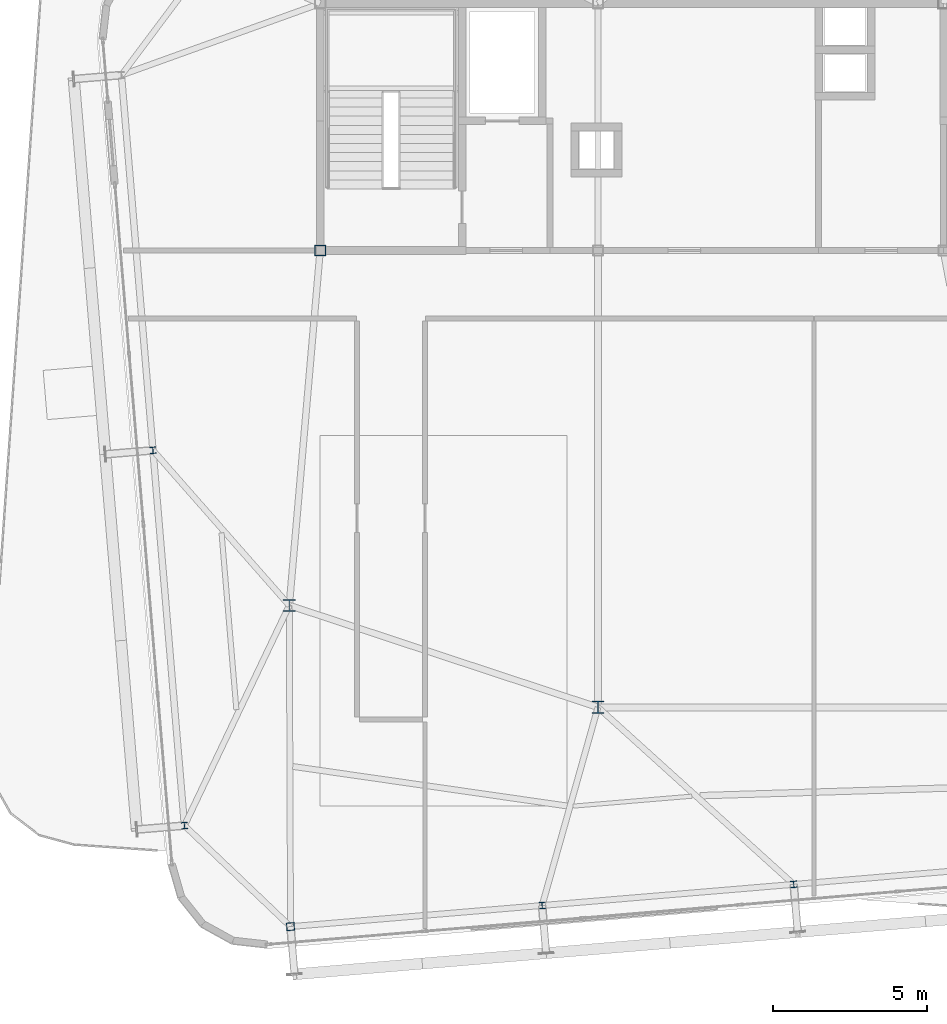
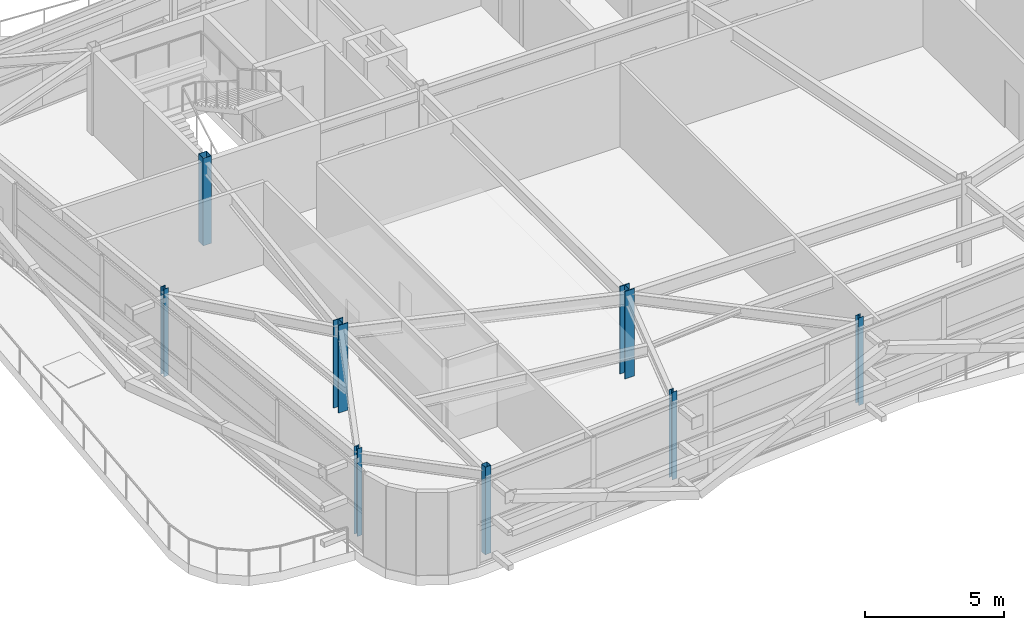
# One storey, part 1 of 38: 8 columns.
"""IFC4 building model written with IfcOpenShell, lengths in metres."""

from ifc_helpers import new_model, si_unit, direction, frame, origin, origin_2d, place, context, subcontext, project, spatial, hollow_rectangle, i_section, extrude, source, transform, mapped, material, material_profile, profile_set, type_object, element, save


model = new_model("IFC4")

# Units and contexts
model_context = context("Model", 3, precision=1e-05, world=origin(), true_north=direction((0.0, 1.0)))
body_context = subcontext(model_context, "Body", "Model", "MODEL_VIEW")
ifc_project = project(units=[si_unit("LENGTHUNIT", "METRE"), si_unit("AREAUNIT", "SQUARE_METRE"), si_unit("VOLUMEUNIT", "CUBIC_METRE"), si_unit("PLANEANGLEUNIT", "RADIAN"), si_unit("MASSUNIT", "GRAM", prefix="KILO")], contexts=[model_context])

# Site, building, storey
site_placement = place(None, origin())
site = spatial("IfcSite", under=ifc_project, at=site_placement, CompositionType="ELEMENT")
building_placement = place(site_placement, origin())
building = spatial("IfcBuilding", under=site, at=building_placement, Name="Taldren Reach Tower", CompositionType="ELEMENT")
storey_placement = place(building_placement, frame((0.0, 0.0, 168.699951171875)))
storey = spatial("IfcBuildingStorey", under=building, at=storey_placement, Name="L51", CompositionType="ELEMENT", Elevation=168.699951171875)

# Columns
ifc_material_1 = material(Name="Steel Gr 450 (C450L0)", Category="steel")
ifc_material_profile_1 = material_profile(ifc_material_1, hollow_rectangle(XDim=0.35009765625, YDim=0.35009765625, WallThickness=0.01611328125, at=origin_2d()), Name="350x350x16.0SHS")
ifc_profile_set_1 = profile_set([ifc_material_profile_1], Name="Steel Gr 450 (C450L0)")
column_type_1 = type_object("IfcColumnType", Name="COL-SHS350", PredefinedType="COLUMN", material=ifc_profile_set_1)
shared_shape_1 = source(origin(), body_context, "Body", "SweptSolid", [
    extrude(hollow_rectangle(XDim=0.35009765625, YDim=0.35009765625, WallThickness=0.01611328125, at=origin_2d()), origin(), (0.0, 0.0, 1.0), 3.85009765625),
])
column_1_placement = place(storey_placement, frame((19.0, 24.0, 0.0), z_axis=(0.0, 0.0, 1.0), x_axis=(1.0, 0.0, 0.0)))
element("IfcColumn", 1, at=column_1_placement, inside=storey, type_object=column_type_1, Name="Mega column MC-C1 L51", PredefinedType="COLUMN", context=body_context, shape_type="MappedRepresentation", body=[
    mapped(shared_shape_1, transform((0.0, 0.0, 0.0), scale=1.0)),
])
ifc_material_2 = material(Name="Steel Gr 350 (350PLUS)", Category="steel")
ifc_material_profile_2 = material_profile(ifc_material_2, i_section(OverallWidth=0.39990234375, OverallDepth=0.39599609375, WebThickness=0.02197265625, FlangeThickness=0.033935546875, at=origin_2d()), Name="400WC270")
ifc_profile_set_2 = profile_set([ifc_material_profile_2], Name="Steel Gr 350 (350PLUS)")
column_type_2 = type_object("IfcColumnType", Name="COL-WC400", PredefinedType="COLUMN", material=ifc_profile_set_2)
shared_shape_2 = source(origin(), body_context, "Body", "SweptSolid", [
    extrude(i_section(OverallWidth=0.39990234375, OverallDepth=0.39599609375, WebThickness=0.02197265625, FlangeThickness=0.033935546875, at=origin_2d()), origin(), (0.0, 0.0, 1.0), 3.85009765625),
])
for number, where, z_axis, x_axis, name in (
    (2, (28.0, 9.199951171875, 0.0), (0.0, 0.0, 1.0), (1.0, 0.0, 0.0), "Mega column MC-PJW L51"),
    (3, (18.0, 12.5, 0.0), (0.0, 0.0, 1.0), (1.0, 0.0, 0.0), "Mega column MC-SW L51"),
):
    element("IfcColumn", number, at=place(storey_placement, frame(where, z_axis=z_axis, x_axis=x_axis)), inside=storey, type_object=column_type_2, Name=name, PredefinedType="COLUMN", context=body_context, shape_type="MappedRepresentation", body=[
        mapped(shared_shape_2, transform((0.0, 0.0, 0.0), scale=1.0)),
    ])
ifc_material_3 = material(Name="Steel Gr 350 (C350L0)", Category="steel")
ifc_material_profile_3 = material_profile(ifc_material_3, hollow_rectangle(XDim=0.25, YDim=0.25, WallThickness=0.010009765625, at=origin_2d()), Name="250x250x10.0SHS")
ifc_profile_set_3 = profile_set([ifc_material_profile_3], Name="Steel Gr 350 (C350L0)")
column_type_3 = type_object("IfcColumnType", Name="COL-SHS250", PredefinedType="COLUMN", material=ifc_profile_set_3)
shared_shape_3 = source(origin(), body_context, "Body", "SweptSolid", [
    extrude(hollow_rectangle(XDim=0.25, YDim=0.25, WallThickness=0.010009765625, at=origin_2d()), origin(), (0.0, 0.0, 1.0), 3.85009765625),
])
column_2_placement = place(storey_placement, frame((18.03955078125, 2.093994140625, 0.0), z_axis=(0.0, 0.0, 1.0), x_axis=(0.99649285925, 0.083677843332, 0.0)))
element("IfcColumn", 4, at=column_2_placement, inside=storey, type_object=column_type_3, Name="Block B4 perimeter column S1 L51", PredefinedType="COLUMN", context=body_context, shape_type="MappedRepresentation", body=[
    mapped(shared_shape_3, transform((0.0, 0.0, 0.0), scale=1.0)),
])
ifc_material_profile_4 = material_profile(ifc_material_2, i_section(OverallWidth=0.205078125, OverallDepth=0.2099609375, WebThickness=0.00927734375, FlangeThickness=0.01416015625, at=origin_2d()), Name="200UC59.5")
ifc_profile_set_4 = profile_set([ifc_material_profile_4], Name="Steel Gr 350 (350PLUS)")
column_type_4 = type_object("IfcColumnType", Name="COL-UC200", PredefinedType="COLUMN", material=ifc_profile_set_4)
shared_shape_4 = source(origin(), body_context, "Body", "SweptSolid", [
    extrude(i_section(OverallWidth=0.205078125, OverallDepth=0.2099609375, WebThickness=0.00927734375, FlangeThickness=0.01416015625, at=origin_2d()), origin(), (0.0, 0.0, 1.0), 3.85009765625),
])
for number, where, z_axis, x_axis, name in (
    (5, (26.19091796875, 2.778564453125, 0.0), (0.0, 0.0, 1.0), (0.99649285925, 0.083677843332, 0.0), "Block B4 perimeter column S2 L51"),
    (6, (34.34228515625, 3.462890625, 0.0), (0.0, 0.0, 1.0), (0.99649285925, 0.083677843332, 0.0), "Block B4 perimeter column S3 L51"),
    (7, (14.603759765625, 5.367919921875, 0.0), (0.0, 0.0, 1.0), (0.99649285925, 0.083677843332, 0.0), "Block B4 perimeter column W1 L51"),
    (8, (13.582763671875, 17.525146484375, 0.0), (0.0, 0.0, 1.0), (0.99649285925, 0.083677843332, 0.0), "Block B4 perimeter column W2 L51"),
):
    element("IfcColumn", number, at=place(storey_placement, frame(where, z_axis=z_axis, x_axis=x_axis)), inside=storey, type_object=column_type_4, Name=name, PredefinedType="COLUMN", context=body_context, shape_type="MappedRepresentation", body=[
        mapped(shared_shape_4, transform((0.0, 0.0, 0.0), scale=1.0)),
    ])

save(model, "model.ifc")
